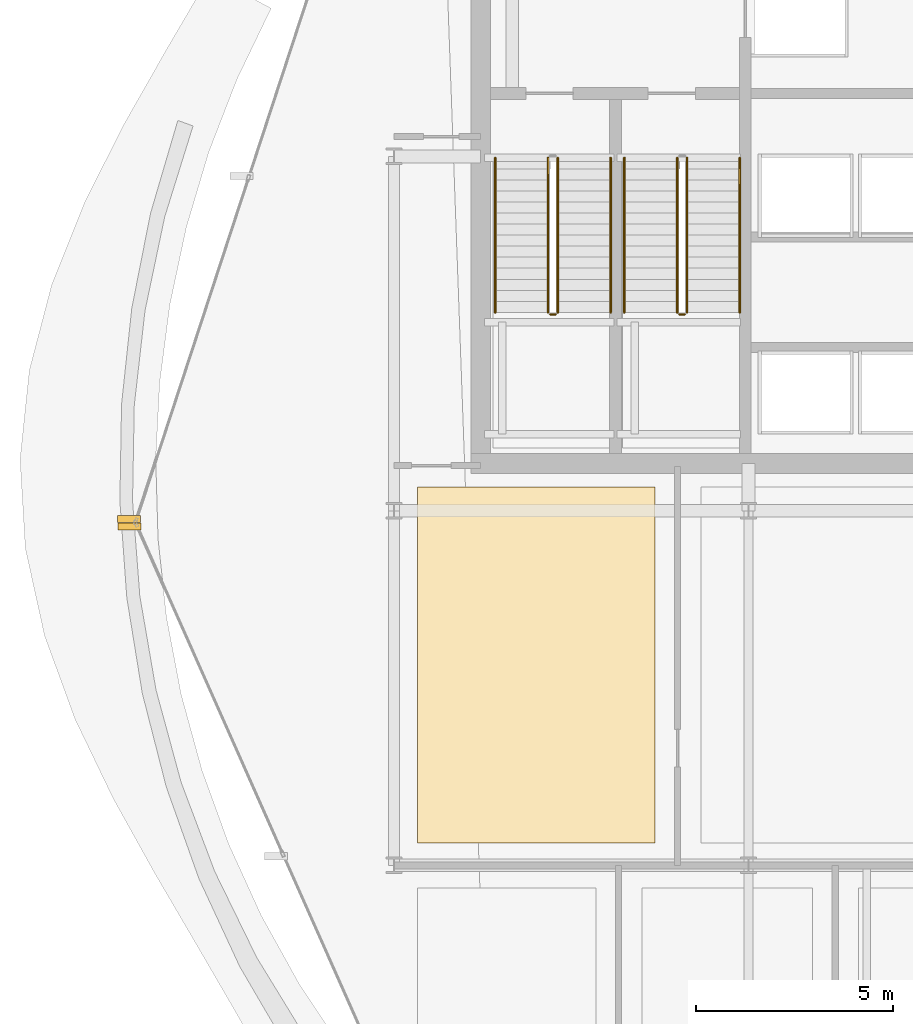
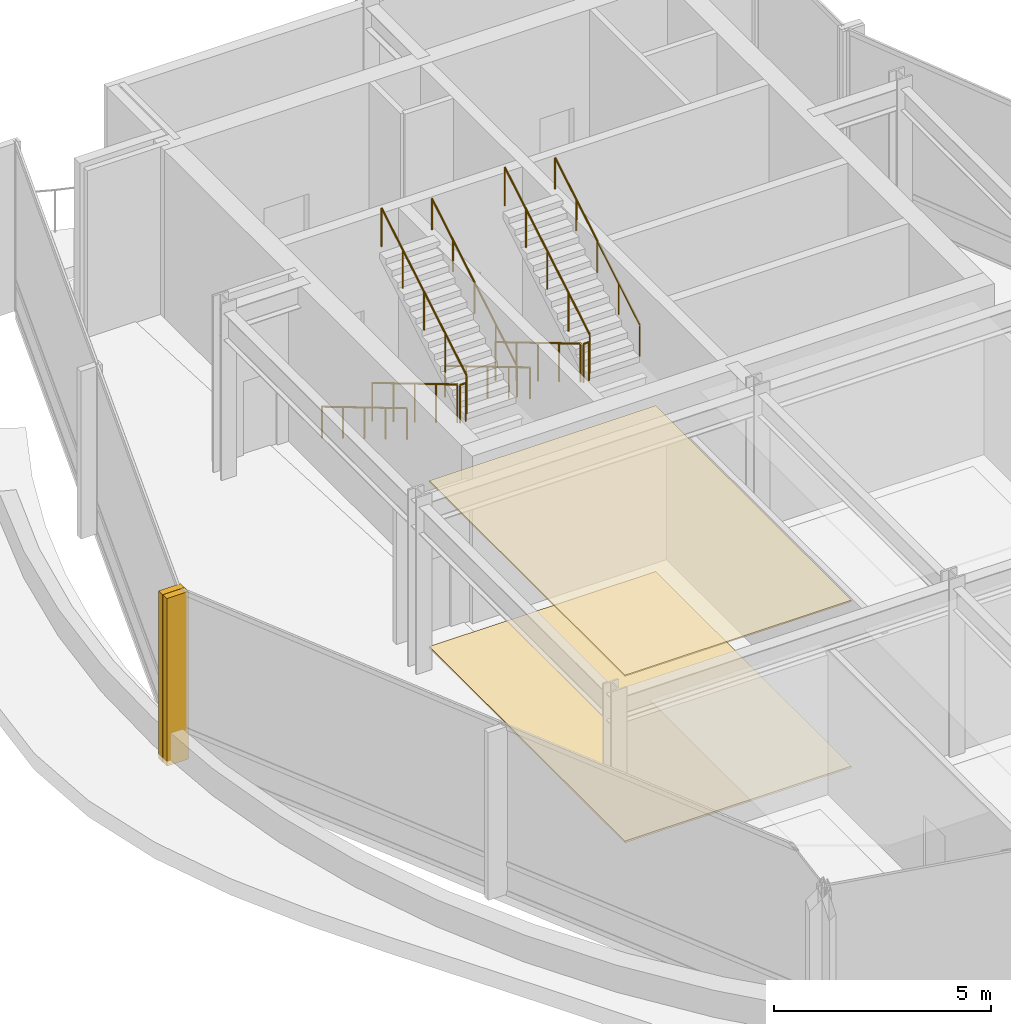
# One storey, part 24 of 29: 10 railings, 4 coverings.
"""IFC4 building model written with IfcOpenShell, lengths in metres."""

from ifc_helpers import new_model, si_unit, direction, frame, origin, origin_2d, place, context, subcontext, project, spatial, polyline, rectangle, circle, outline, extrude, material, layer, layer_set, type_object, element, save


model = new_model("IFC4")

# Units and contexts
model_context = context("Model", 3, precision=1e-05, world=origin(), true_north=direction((0.0, 1.0)))
body_context = subcontext(model_context, "Body", "Model", "MODEL_VIEW")
ifc_project = project(units=[si_unit("LENGTHUNIT", "METRE"), si_unit("AREAUNIT", "SQUARE_METRE"), si_unit("VOLUMEUNIT", "CUBIC_METRE"), si_unit("PLANEANGLEUNIT", "RADIAN"), si_unit("MASSUNIT", "GRAM", prefix="KILO")], contexts=[model_context])

# Site, building, storey
site_placement = place(None, origin())
site = spatial("IfcSite", under=ifc_project, at=site_placement, CompositionType="ELEMENT")
building_placement = place(site_placement, origin())
building = spatial("IfcBuilding", under=site, at=building_placement, Name="Solvaryn Broadcast Tower", CompositionType="ELEMENT")
storey_placement = place(building_placement, frame((0.0, 0.0, 169.199951171875)))
storey = spatial("IfcBuildingStorey", under=building, at=storey_placement, Name="L42", CompositionType="ELEMENT", Elevation=169.199951171875)

# Coverings
ifc_material_1 = material(Name="Micro-Perforated Acoustic Gypsum Ceiling", Category="concrete")
ifc_layer_1 = layer(ifc_material_1, 0.0400390625)
ifc_layer_set_1 = layer_set([ifc_layer_1], Name="CV-CEIL-ACOUSTIC")
covering_type_1 = type_object("IfcCoveringType", Name="CV-CEIL-ACOUSTIC", PredefinedType="CEILING", material=ifc_layer_set_1)
covering_1_placement = place(storey_placement, frame((0.0, 0.0, 4.679931640625)))
element("IfcCovering", 1, at=covering_1_placement, inside=storey, type_object=covering_type_1, Name="L42 Room Acoustic Ceiling 1", PredefinedType="CEILING", context=body_context, shape_type="SweptSolid", body=[
    extrude(outline(polyline([(9.60009765625, 18.570068359375), (15.6298828125, 18.570068359375), (15.6298828125, 27.60009765625), (9.60009765625, 27.60009765625), (9.60009765625, 18.570068359375)])), origin(), (0.0, 0.0, 1.0), 0.0400390625),
])
ifc_material_2 = material(Name="Newsroom Raised Data Access Flooring", Category="steel")
ifc_layer_2 = layer(ifc_material_2, 0.050048828125)
ifc_layer_set_2 = layer_set([ifc_layer_2], Name="CV-FLOOR-RAISED")
covering_type_2 = type_object("IfcCoveringType", Name="CV-FLOOR-RAISED", PredefinedType="FLOORING", material=ifc_layer_set_2)
covering_2_placement = place(storey_placement, origin())
element("IfcCovering", 2, at=covering_2_placement, inside=storey, type_object=covering_type_2, Name="L42 Room Acoustic Floor Finish 1", PredefinedType="FLOORING", context=body_context, shape_type="SweptSolid", body=[
    extrude(outline(polyline([(9.60009765625, 18.570068359375), (15.6298828125, 18.570068359375), (15.6298828125, 27.60009765625), (9.60009765625, 27.60009765625), (9.60009765625, 18.570068359375)])), origin(), (0.0, 0.0, 1.0), 0.050048828125),
])
ifc_material_3 = material(Name="Extruded Architectural Terracotta Fin", Category="masonry")
ifc_layer_3 = layer(ifc_material_3, 0.179931640625)
ifc_layer_set_3 = layer_set([ifc_layer_3], Name="CV-TC-FIN")
covering_type_3 = type_object("IfcCoveringType", Name="CV-TC-FIN", PredefinedType="USERDEFINED", material=ifc_layer_set_3)
for number, where, z_axis, x_axis, name in (
    (3, (2.271240234375, 26.790771484375, 0.0), (0.0, 0.0, 1.0), (1.0, 0.0, 0.0), "L42 Terracotta Vertical Fin FIN-L42-DR1-M02"),
    (4, (2.281005859375, 26.605712890625, 0.0), (0.0, 0.0, 1.0), (1.0, 0.0, 0.0), "L42 Terracotta Vertical Fin FIN-L42-DR2-M00"),
):
    element("IfcCovering", number, at=place(storey_placement, frame(where, z_axis=z_axis, x_axis=x_axis)), inside=storey, type_object=covering_type_3, Name=name, ObjectType="FIN", PredefinedType="USERDEFINED", context=body_context, shape_type="SweptSolid", body=[
        extrude(rectangle(XDim=0.580078125, YDim=0.179931640625, at=origin_2d()), origin(), (0.0, 0.0, 1.0), 4.719970703125),
    ])

# Railings
ifc_material_4 = material(Name="Painted Steel Stair Well Guard", Category="steel")
railing_type_1 = type_object("IfcRailingType", Name="RL-STAIR-GUARD", PredefinedType="BALUSTRADE", material=ifc_material_4)
railing_1_placement = place(storey_placement, frame((12.909912109375, 35.9599609375, 0.166748046875)))
element("IfcRailing", 5, at=railing_1_placement, inside=storey, type_object=railing_type_1, Name="L42 ST1 stair guard 1", PredefinedType="BALUSTRADE", context=body_context, shape_type="SweptSolid", body=[
    extrude(circle(Radius=0.02392578125, at=origin_2d()), frame((0.0, 0.0, 1.076171875), z_axis=(0.0, -0.859296244711, 0.511478214419), x_axis=(1.0, 0.0, 0.0)), (0.0, 0.0, 1.0), 4.561767578125),
    extrude(circle(Radius=0.02099609375, at=origin_2d()), origin(), (0.0, 0.0, 1.0), 1.052001953125),
    extrude(circle(Radius=0.02099609375, at=origin_2d()), frame((0.0, -0.97998046875, 0.583251953125)), (0.0, 0.0, 1.0), 1.052001953125),
    extrude(circle(Radius=0.02099609375, at=origin_2d()), frame((0.0, -1.9599609375, 1.16650390625)), (0.0, 0.0, 1.0), 1.052001953125),
    extrude(circle(Radius=0.02099609375, at=origin_2d()), frame((0.0, -2.93994140625, 1.75)), (0.0, 0.0, 1.0), 1.052001953125),
    extrude(circle(Radius=0.02099609375, at=origin_2d()), frame((0.0, -3.919921875, 2.333251953125)), (0.0, 0.0, 1.0), 1.052001953125),
])
railing_2_placement = place(storey_placement, frame((12.9599609375, 31.989990234375, 2.5)))
element("IfcRailing", 6, at=railing_2_placement, inside=storey, type_object=railing_type_1, Name="L42 ST1 stair guard 2", PredefinedType="BALUSTRADE", context=body_context, shape_type="SweptSolid", body=[
    extrude(circle(Radius=0.02392578125, at=origin_2d()), frame((0.0, 0.0, 1.076171875), z_axis=(1.0, 0.0, 0.0), x_axis=(0.0, 1.0, 0.0)), (0.0, 0.0, 1.0), 0.150146484375),
    extrude(circle(Radius=0.02099609375, at=origin_2d()), origin(), (0.0, 0.0, 1.0), 1.052001953125),
    extrude(circle(Radius=0.02099609375, at=origin_2d()), frame((0.150146484375, 0.0, 0.0)), (0.0, 0.0, 1.0), 1.052001953125),
])
railing_3_placement = place(storey_placement, frame((13.159912109375, 32.0400390625, 2.666748046875)))
element("IfcRailing", 7, at=railing_3_placement, inside=storey, type_object=railing_type_1, Name="L42 ST1 stair guard 3", PredefinedType="BALUSTRADE", context=body_context, shape_type="SweptSolid", body=[
    extrude(circle(Radius=0.02392578125, at=origin_2d()), frame((0.0, 0.0, 1.076171875), z_axis=(0.0, 0.859296244711, 0.511478214419), x_axis=(-1.0, 0.0, 0.0)), (0.0, 0.0, 1.0), 4.561767578125),
    extrude(circle(Radius=0.02099609375, at=origin_2d()), origin(), (0.0, 0.0, 1.0), 1.052001953125),
    extrude(circle(Radius=0.02099609375, at=origin_2d()), frame((0.0, 0.97998046875, 0.583251953125)), (0.0, 0.0, 1.0), 1.052001953125),
    extrude(circle(Radius=0.02099609375, at=origin_2d()), frame((0.0, 1.9599609375, 1.16650390625)), (0.0, 0.0, 1.0), 1.052001953125),
    extrude(circle(Radius=0.02099609375, at=origin_2d()), frame((0.0, 2.93994140625, 1.75)), (0.0, 0.0, 1.0), 1.052001953125),
    extrude(circle(Radius=0.02099609375, at=origin_2d()), frame((0.0, 3.919921875, 2.333251953125)), (0.0, 0.0, 1.0), 1.052001953125),
])
railing_4_placement = place(storey_placement, frame((16.18994140625, 35.9599609375, 0.166748046875)))
element("IfcRailing", 8, at=railing_4_placement, inside=storey, type_object=railing_type_1, Name="L42 ST2 stair guard 1", PredefinedType="BALUSTRADE", context=body_context, shape_type="SweptSolid", body=[
    extrude(circle(Radius=0.02392578125, at=origin_2d()), frame((0.0, 0.0, 1.076171875), z_axis=(0.0, -0.859296244711, 0.511478214419), x_axis=(1.0, 0.0, 0.0)), (0.0, 0.0, 1.0), 4.561767578125),
    extrude(circle(Radius=0.02099609375, at=origin_2d()), origin(), (0.0, 0.0, 1.0), 1.052001953125),
    extrude(circle(Radius=0.02099609375, at=origin_2d()), frame((0.0, -0.97998046875, 0.583251953125)), (0.0, 0.0, 1.0), 1.052001953125),
    extrude(circle(Radius=0.02099609375, at=origin_2d()), frame((0.0, -1.9599609375, 1.16650390625)), (0.0, 0.0, 1.0), 1.052001953125),
    extrude(circle(Radius=0.02099609375, at=origin_2d()), frame((0.0, -2.93994140625, 1.75)), (0.0, 0.0, 1.0), 1.052001953125),
    extrude(circle(Radius=0.02099609375, at=origin_2d()), frame((0.0, -3.919921875, 2.333251953125)), (0.0, 0.0, 1.0), 1.052001953125),
])
railing_5_placement = place(storey_placement, frame((16.239990234375, 31.989990234375, 2.5)))
element("IfcRailing", 9, at=railing_5_placement, inside=storey, type_object=railing_type_1, Name="L42 ST2 stair guard 2", PredefinedType="BALUSTRADE", context=body_context, shape_type="SweptSolid", body=[
    extrude(circle(Radius=0.02392578125, at=origin_2d()), frame((0.0, 0.0, 1.076171875), z_axis=(1.0, 0.0, 0.0), x_axis=(0.0, 1.0, 0.0)), (0.0, 0.0, 1.0), 0.14990234375),
    extrude(circle(Radius=0.02099609375, at=origin_2d()), origin(), (0.0, 0.0, 1.0), 1.052001953125),
    extrude(circle(Radius=0.02099609375, at=origin_2d()), frame((0.14990234375, 0.0, 0.0)), (0.0, 0.0, 1.0), 1.052001953125),
])
railing_6_placement = place(storey_placement, frame((16.43994140625, 32.0400390625, 2.666748046875)))
element("IfcRailing", 10, at=railing_6_placement, inside=storey, type_object=railing_type_1, Name="L42 ST2 stair guard 3", PredefinedType="BALUSTRADE", context=body_context, shape_type="SweptSolid", body=[
    extrude(circle(Radius=0.02392578125, at=origin_2d()), frame((0.0, 0.0, 1.076171875), z_axis=(0.0, 0.859296244711, 0.511478214419), x_axis=(-1.0, 0.0, 0.0)), (0.0, 0.0, 1.0), 4.561767578125),
    extrude(circle(Radius=0.02099609375, at=origin_2d()), origin(), (0.0, 0.0, 1.0), 1.052001953125),
    extrude(circle(Radius=0.02099609375, at=origin_2d()), frame((0.0, 0.97998046875, 0.583251953125)), (0.0, 0.0, 1.0), 1.052001953125),
    extrude(circle(Radius=0.02099609375, at=origin_2d()), frame((0.0, 1.9599609375, 1.16650390625)), (0.0, 0.0, 1.0), 1.052001953125),
    extrude(circle(Radius=0.02099609375, at=origin_2d()), frame((0.0, 2.93994140625, 1.75)), (0.0, 0.0, 1.0), 1.052001953125),
    extrude(circle(Radius=0.02099609375, at=origin_2d()), frame((0.0, 3.919921875, 2.333251953125)), (0.0, 0.0, 1.0), 1.052001953125),
])
ifc_material_5 = material(Name="Brushed Stainless Steel Tubular Handrail", Category="steel")
railing_type_2 = type_object("IfcRailingType", Name="RL-STAIR-HANDRAIL", PredefinedType="HANDRAIL", material=ifc_material_5)
railing_7_placement = place(storey_placement, frame((11.570068359375, 35.9599609375, 0.166748046875)))
element("IfcRailing", 11, at=railing_7_placement, inside=storey, type_object=railing_type_2, Name="L42 ST1 stair handrail 1", PredefinedType="HANDRAIL", context=body_context, shape_type="SweptSolid", body=[
    extrude(circle(Radius=0.02392578125, at=origin_2d()), frame((0.0, 0.0, 0.8759765625), z_axis=(0.0, -0.859296244711, 0.511478214419), x_axis=(1.0, 0.0, 0.0)), (0.0, 0.0, 1.0), 4.561767578125),
    extrude(circle(Radius=0.02099609375, at=origin_2d()), origin(), (0.0, 0.0, 1.0), 0.851806640625),
    extrude(circle(Radius=0.02099609375, at=origin_2d()), frame((0.0, -0.97998046875, 0.583251953125)), (0.0, 0.0, 1.0), 0.851806640625),
    extrude(circle(Radius=0.02099609375, at=origin_2d()), frame((0.0, -1.9599609375, 1.16650390625)), (0.0, 0.0, 1.0), 0.851806640625),
    extrude(circle(Radius=0.02099609375, at=origin_2d()), frame((0.0, -2.93994140625, 1.75)), (0.0, 0.0, 1.0), 0.851806640625),
    extrude(circle(Radius=0.02099609375, at=origin_2d()), frame((0.0, -3.919921875, 2.333251953125)), (0.0, 0.0, 1.0), 0.851806640625),
])
railing_8_placement = place(storey_placement, frame((14.5, 32.0400390625, 2.666748046875)))
element("IfcRailing", 12, at=railing_8_placement, inside=storey, type_object=railing_type_2, Name="L42 ST1 stair handrail 2", PredefinedType="HANDRAIL", context=body_context, shape_type="SweptSolid", body=[
    extrude(circle(Radius=0.02392578125, at=origin_2d()), frame((0.0, 0.0, 0.8759765625), z_axis=(0.0, 0.859296244711, 0.511478214419), x_axis=(-1.0, 0.0, 0.0)), (0.0, 0.0, 1.0), 4.561767578125),
    extrude(circle(Radius=0.02099609375, at=origin_2d()), origin(), (0.0, 0.0, 1.0), 0.851806640625),
    extrude(circle(Radius=0.02099609375, at=origin_2d()), frame((0.0, 0.97998046875, 0.583251953125)), (0.0, 0.0, 1.0), 0.851806640625),
    extrude(circle(Radius=0.02099609375, at=origin_2d()), frame((0.0, 1.9599609375, 1.16650390625)), (0.0, 0.0, 1.0), 0.851806640625),
    extrude(circle(Radius=0.02099609375, at=origin_2d()), frame((0.0, 2.93994140625, 1.75)), (0.0, 0.0, 1.0), 0.851806640625),
    extrude(circle(Radius=0.02099609375, at=origin_2d()), frame((0.0, 3.919921875, 2.333251953125)), (0.0, 0.0, 1.0), 0.851806640625),
])
railing_9_placement = place(storey_placement, frame((14.85009765625, 35.9599609375, 0.166748046875)))
element("IfcRailing", 13, at=railing_9_placement, inside=storey, type_object=railing_type_2, Name="L42 ST2 stair handrail 1", PredefinedType="HANDRAIL", context=body_context, shape_type="SweptSolid", body=[
    extrude(circle(Radius=0.02392578125, at=origin_2d()), frame((0.0, 0.0, 0.8759765625), z_axis=(0.0, -0.859296244711, 0.511478214419), x_axis=(1.0, 0.0, 0.0)), (0.0, 0.0, 1.0), 4.561767578125),
    extrude(circle(Radius=0.02099609375, at=origin_2d()), origin(), (0.0, 0.0, 1.0), 0.851806640625),
    extrude(circle(Radius=0.02099609375, at=origin_2d()), frame((0.0, -0.97998046875, 0.583251953125)), (0.0, 0.0, 1.0), 0.851806640625),
    extrude(circle(Radius=0.02099609375, at=origin_2d()), frame((0.0, -1.9599609375, 1.16650390625)), (0.0, 0.0, 1.0), 0.851806640625),
    extrude(circle(Radius=0.02099609375, at=origin_2d()), frame((0.0, -2.93994140625, 1.75)), (0.0, 0.0, 1.0), 0.851806640625),
    extrude(circle(Radius=0.02099609375, at=origin_2d()), frame((0.0, -3.919921875, 2.333251953125)), (0.0, 0.0, 1.0), 0.851806640625),
])
railing_10_placement = place(storey_placement, frame((17.780029296875, 32.0400390625, 2.666748046875)))
element("IfcRailing", 14, at=railing_10_placement, inside=storey, type_object=railing_type_2, Name="L42 ST2 stair handrail 2", PredefinedType="HANDRAIL", context=body_context, shape_type="SweptSolid", body=[
    extrude(circle(Radius=0.02392578125, at=origin_2d()), frame((0.0, 0.0, 0.8759765625), z_axis=(0.0, 0.859296244711, 0.511478214419), x_axis=(-1.0, 0.0, 0.0)), (0.0, 0.0, 1.0), 4.561767578125),
    extrude(circle(Radius=0.02099609375, at=origin_2d()), origin(), (0.0, 0.0, 1.0), 0.851806640625),
    extrude(circle(Radius=0.02099609375, at=origin_2d()), frame((0.0, 0.97998046875, 0.583251953125)), (0.0, 0.0, 1.0), 0.851806640625),
    extrude(circle(Radius=0.02099609375, at=origin_2d()), frame((0.0, 1.9599609375, 1.16650390625)), (0.0, 0.0, 1.0), 0.851806640625),
    extrude(circle(Radius=0.02099609375, at=origin_2d()), frame((0.0, 2.93994140625, 1.75)), (0.0, 0.0, 1.0), 0.851806640625),
    extrude(circle(Radius=0.02099609375, at=origin_2d()), frame((0.0, 3.919921875, 2.333251953125)), (0.0, 0.0, 1.0), 0.851806640625),
])

save(model, "model.ifc")
